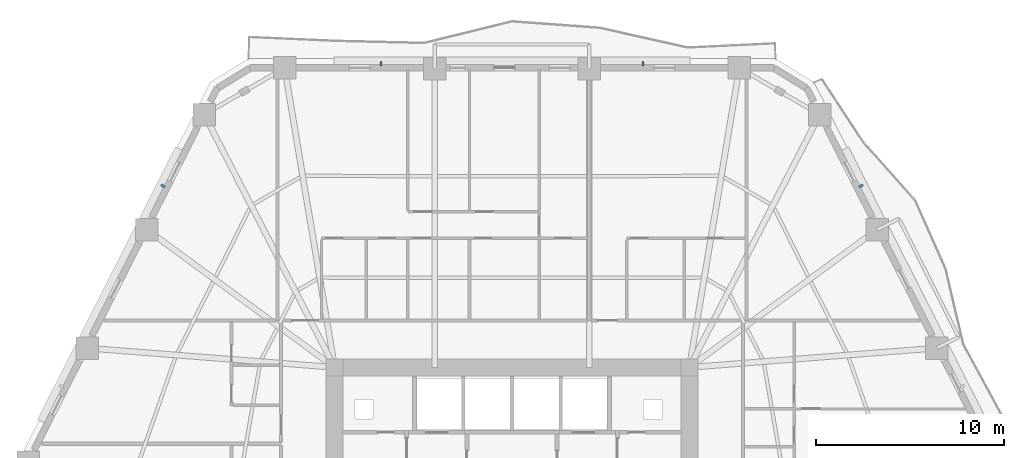
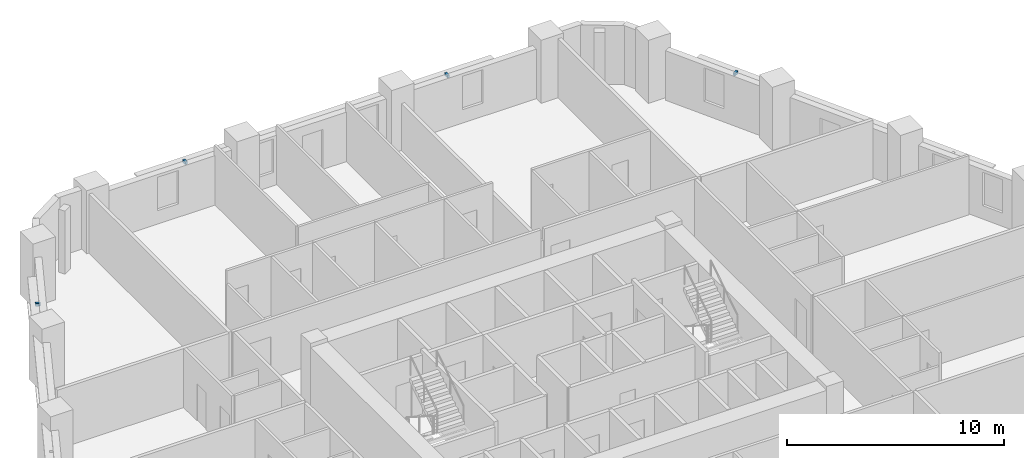
# One storey, part 10 of 14: 4 discrete accessories.
"""IFC4 building model written with IfcOpenShell, lengths in metres."""

from ifc_helpers import new_model, si_unit, direction, frame, origin, origin_2d, place, context, subcontext, project, spatial, rectangle, extrude, material, type_object, element, save


model = new_model("IFC4")

# Units and contexts
model_context = context("Model", 3, precision=1e-05, world=origin(), true_north=direction((0.0, 1.0)))
body_context = subcontext(model_context, "Body", "Model", "MODEL_VIEW")
ifc_project = project(units=[si_unit("LENGTHUNIT", "METRE"), si_unit("AREAUNIT", "SQUARE_METRE"), si_unit("VOLUMEUNIT", "CUBIC_METRE"), si_unit("PLANEANGLEUNIT", "RADIAN"), si_unit("MASSUNIT", "GRAM", prefix="KILO")], contexts=[model_context])

# Site, building, storey
site_placement = place(None, origin())
site = spatial("IfcSite", under=ifc_project, at=site_placement, CompositionType="ELEMENT")
building_placement = place(site_placement, origin())
building = spatial("IfcBuilding", under=site, at=building_placement, Name="Cinnabar Lancet Tower", CompositionType="ELEMENT")
storey_placement = place(building_placement, frame((0.0, 0.0, 67.5)))
storey = spatial("IfcBuildingStorey", under=building, at=storey_placement, Name="L17", CompositionType="ELEMENT", Elevation=67.5)

# Discrete accessories
ifc_material = material(Name="Stainless steel 316 facade fixing bracket", Category="steel")
discrete_accessory_type = type_object("IfcDiscreteAccessoryType", Name="ENV-ACC-BRK-180", PredefinedType="BRACKET", material=ifc_material)
for number, where, z_axis, x_axis, name in (
    (1, (50.993896484375, 43.02099609375, 2.60009765625), (0.0, 0.0, 1.0), (-0.451500573218, 0.892270829056, 0.0), "L17 Face 3 Sunshade Bracket B"),
    (2, (39.383056640625, 49.5400390625, 2.60009765625), (0.0, 0.0, 1.0), (-1.0, 0.0, 0.0), "L17 Face 4 Sunshade Bracket A"),
    (3, (25.4169921875, 49.5400390625, 2.60009765625), (0.0, 0.0, 1.0), (-1.0, 0.0, 0.0), "L17 Face 4 Sunshade Bracket B"),
    (4, (13.805908203125, 43.02099609375, 2.60009765625), (0.0, 0.0, 1.0), (-0.451500573218, -0.892270829056, 0.0), "L17 Face 5 Sunshade Bracket A"),
):
    element("IfcDiscreteAccessory", number, at=place(storey_placement, frame(where, z_axis=z_axis, x_axis=x_axis)), inside=storey, type_object=discrete_accessory_type, Name=name, PredefinedType="BRACKET", context=body_context, shape_type="SweptSolid", body=[
        extrude(rectangle(XDim=0.1201171875, YDim=0.239990234375, at=origin_2d()), origin(), (0.0, 0.0, 1.0), 0.159912109375),
    ])

save(model, "model.ifc")
